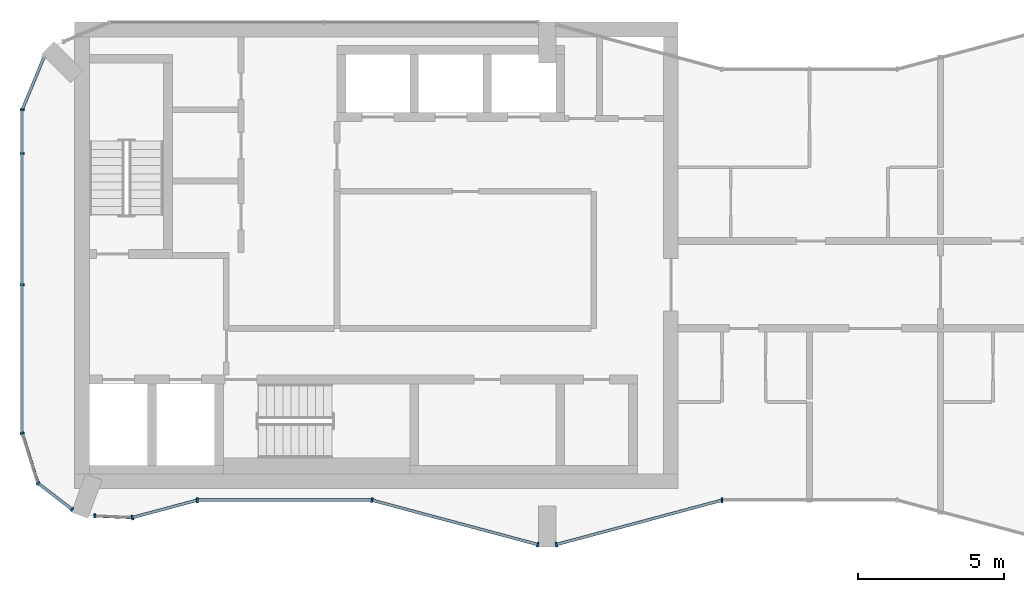
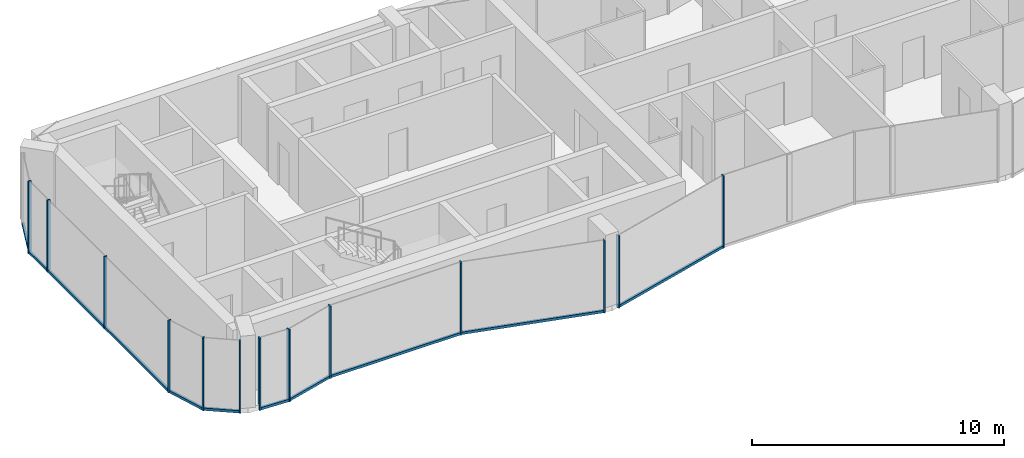
# One storey, part 2 of 10: 22 members, 10 elements without a shape of their own.
"""IFC4 building model written with IfcOpenShell, lengths in metres."""

import ifcopenshell
import ifcopenshell.guid

model = None  # the IFC model being written
_history = None  # IfcOwnerHistory: only IFC2X3 demands one
_inside = {}  # id of a spatial element -> (the spatial element, [elements in it])
_under = {}  # id of a project, library or spatial element -> (it, [spatial elements below it])
_declared = {}  # id of a project -> (the project, [libraries it declares])
_typed = {}  # id of a type object -> (the type object, [elements of that type])
_made_of = {}  # id of a material, layer set ... -> (it, [elements and type objects made of it])


def new_model(schema):
    """Start an empty IFC model of exactly this schema.

    Asked for "IFC4X3", IfcOpenShell would pick the latest addendum, in which some entities
    have other attributes; the version numbers below select the first issue.
    IFC2X3 requires an IfcOwnerHistory on every rooted entity: one is made here for all.
    """
    global model, _history
    if schema == "IFC4X3":
        model = ifcopenshell.file(schema_version=(4, 3, 0, 0))
    else:
        model = ifcopenshell.file(schema=schema)
    _inside.clear()
    _under.clear()
    _declared.clear()
    _typed.clear()
    _made_of.clear()
    _history = None
    if model.schema == "IFC2X3":
        org = make("IfcOrganization", Name="unknown")
        user = make(
            "IfcPersonAndOrganization",
            ThePerson=make("IfcPerson", FamilyName="unknown"),
            TheOrganization=org,
        )
        app = make(
            "IfcApplication",
            ApplicationDeveloper=org,
            Version="unknown",
            ApplicationFullName="unknown",
            ApplicationIdentifier="unknown",
        )
        _history = make(
            "IfcOwnerHistory",
            OwningUser=user,
            OwningApplication=app,
            ChangeAction="ADDED",
            CreationDate=0,
        )
    return model


def make(cls, **values):
    """One entity of the class cls with the attributes given. An attribute that is None is left unset."""
    return model.create_entity(
        cls, **{name: value for name, value in values.items() if value is not None}
    )


def rooted(cls, **values):
    """An entity with a GlobalId (a new one), such as an element, a storey or a relation."""
    return make(cls, GlobalId=ifcopenshell.guid.new(), OwnerHistory=_history, **values)


def si_unit(unit_type, name, prefix=None):
    """IfcSIUnit, for example si_unit("LENGTHUNIT", "METRE", prefix="MILLI")."""
    return make("IfcSIUnit", UnitType=unit_type, Prefix=prefix, Name=name)


def assignment(units):
    """IfcUnitAssignment: the units of a project."""
    return None if units is None else make("IfcUnitAssignment", Units=units)


def point(xyz):
    """IfcCartesianPoint."""
    return None if xyz is None else make("IfcCartesianPoint", Coordinates=xyz)


def direction(xyz):
    """IfcDirection."""
    return None if xyz is None else make("IfcDirection", DirectionRatios=xyz)


def frame(location, z_axis=None, x_axis=None):
    """IfcAxis2Placement3D, a coordinate frame: its origin and axes. An axis left out is left unset."""
    return make(
        "IfcAxis2Placement3D",
        Location=point(location),
        Axis=direction(z_axis),
        RefDirection=direction(x_axis),
    )


def frame_2d(location, x_axis=None):
    """IfcAxis2Placement2D, a coordinate frame in the plane: its origin and x axis."""
    return make(
        "IfcAxis2Placement2D", Location=point(location), RefDirection=direction(x_axis)
    )


def origin():
    """The frame at (0, 0, 0) with its axes left unset."""
    return frame((0.0, 0.0, 0.0))


def origin_2d():
    """The frame at (0, 0) in the plane with its x axis left unset."""
    return frame_2d((0.0, 0.0))


def place(relative_to, where):
    """IfcLocalPlacement: puts the frame where relative to a parent placement (None: the world)."""
    return make(
        "IfcLocalPlacement", PlacementRelTo=relative_to, RelativePlacement=where
    )


def context(
    kind, dimensions, precision=None, world=None, true_north=None, identifier=None
):
    """IfcGeometricRepresentationContext, for example the 3D "Model" context."""
    return make(
        "IfcGeometricRepresentationContext",
        ContextIdentifier=identifier,
        ContextType=kind,
        CoordinateSpaceDimension=dimensions,
        Precision=precision,
        WorldCoordinateSystem=world,
        TrueNorth=true_north,
    )


def subcontext(parent, identifier, kind, view, scale=None):
    """IfcGeometricRepresentationSubContext, for example "Body" below "Model"."""
    return make(
        "IfcGeometricRepresentationSubContext",
        ContextIdentifier=identifier,
        ContextType=kind,
        ParentContext=parent,
        TargetScale=scale,
        TargetView=view,
    )


def project(units=None, contexts=None):
    """IfcProject with its units and contexts."""
    return rooted(
        "IfcProject",
        Name="project",
        RepresentationContexts=contexts,
        UnitsInContext=assignment(units),
    )


def spatial(cls, under=None, at=None, **own):
    """A site, building, storey or space (cls), placed at a placement, below another one or the project."""
    s = rooted(cls, ObjectPlacement=at, **own)
    if under is not None:
        _under.setdefault(under.id(), (under, []))[1].append(s)
    return s


def profile(cls, at=None, kind="AREA", **sizes):
    """A parametric profile (cls). Its sizes go by their IFC names, for example OverallWidth=200.0."""
    return make(cls, ProfileType=kind, Position=at, **sizes)


def rectangle(**sizes):
    """IfcRectangleProfileDef."""
    return profile("IfcRectangleProfileDef", **sizes)


def extrude(swept, where, along, depth):
    """IfcExtrudedAreaSolid: the profile swept, set in the frame where, extruded along a direction by depth."""
    return make(
        "IfcExtrudedAreaSolid",
        SweptArea=swept,
        Position=where,
        ExtrudedDirection=direction(along),
        Depth=depth,
    )


def shape(context_of_items, identifier, shape_type, items):
    """IfcShapeRepresentation: the items that make up one representation, for example the "Body"."""
    return make(
        "IfcShapeRepresentation",
        ContextOfItems=context_of_items,
        RepresentationIdentifier=identifier,
        RepresentationType=shape_type,
        Items=items,
    )


def material(Name=None, Category=None):
    """IfcMaterial."""
    return make("IfcMaterial", Name=Name, Category=Category)


def layer(
    of_material, thickness, ventilated=None, Name=None, Category=None, Priority=None
):
    """IfcMaterialLayer: one layer of a wall or slab, of a material (None: an air gap)."""
    return make(
        "IfcMaterialLayer",
        Material=of_material,
        LayerThickness=thickness,
        IsVentilated=ventilated,
        Name=Name,
        Category=Category,
        Priority=Priority,
    )


def layer_set(layers, Name=None):
    """IfcMaterialLayerSet."""
    return make("IfcMaterialLayerSet", MaterialLayers=layers, LayerSetName=Name)


def material_profile(
    of_material, cross_section, Name=None, Category=None, Priority=None
):
    """IfcMaterialProfile: a cross section and its material."""
    return make(
        "IfcMaterialProfile",
        Name=Name,
        Material=of_material,
        Profile=cross_section,
        Priority=Priority,
        Category=Category,
    )


def profile_set(profiles, Name=None, composite=None):
    """IfcMaterialProfileSet."""
    return make(
        "IfcMaterialProfileSet",
        Name=Name,
        MaterialProfiles=profiles,
        CompositeProfile=composite,
    )


def made_of(thing, what):
    """Note that an element or type object is made of a material, layer set ...; save() writes the relation."""
    if what is not None:
        _made_of.setdefault(what.id(), (what, []))[1].append(thing)
    return thing


def type_object(cls, material=None, **own):
    """A type object (cls), such as IfcWallType, which elements share."""
    return made_of(rooted(cls, **own), material)


def element(
    cls,
    number,
    at=None,
    inside=None,
    cuts=None,
    type_object=None,
    material=None,
    context=None,
    identifier="Body",
    shape_type=None,
    held_by="IfcProductDefinitionShape",
    body=None,
    shapes=None,
    **own,
):
    """One element of the class cls, such as IfcWall. Its Tag is "e" and its number.

    at: its placement. inside: the storey or other place that contains it. cuts: it is an
    opening in that element (IfcRelVoidsElement). A single representation is given by context,
    identifier, shape_type and body (its items); several are given by shapes. held_by: the class
    of the entity that holds the representations. save() writes the other relations.
    """
    e = rooted(cls, Tag="e%d" % number, ObjectPlacement=at, **own)
    if body is not None:
        shapes = [shape(context, identifier, shape_type, body)]
    if shapes is not None:
        e.Representation = make(held_by, Representations=shapes)
    if inside is not None:
        _inside.setdefault(inside.id(), (inside, []))[1].append(e)
    if cuts is not None:
        rooted(
            "IfcRelVoidsElement", RelatingBuildingElement=cuts, RelatedOpeningElement=e
        )
    if type_object is not None:
        _typed.setdefault(type_object.id(), (type_object, []))[1].append(e)
    return made_of(e, material)


def aggregate(whole, parts):
    """IfcRelAggregates: a whole, such as a stair, and the parts it consists of."""
    return rooted("IfcRelAggregates", RelatingObject=whole, RelatedObjects=parts)


def save(model, path):
    """Write the relations noted so far, then the file.

    IfcRelAggregates (storeys below a building ...), IfcRelContainedInSpatialStructure (elements
    in a storey), IfcRelDefinesByType, IfcRelAssociatesMaterial and IfcRelDeclares: one each for
    every whole, place, type object, material and project.
    """
    for whole, parts in _under.values():
        aggregate(whole, parts)
    for where, things in _inside.values():
        rooted(
            "IfcRelContainedInSpatialStructure",
            RelatedElements=things,
            RelatingStructure=where,
        )
    for kind, things in _typed.values():
        rooted("IfcRelDefinesByType", RelatedObjects=things, RelatingType=kind)
    for what, things in _made_of.values():
        rooted("IfcRelAssociatesMaterial", RelatedObjects=things, RelatingMaterial=what)
    for by, libraries in _declared.values():
        rooted("IfcRelDeclares", RelatingContext=by, RelatedDefinitions=libraries)
    model.write(path)


model = new_model("IFC4")

# Units and contexts
model_context = context("Model", 3, precision=1e-05, world=origin(), true_north=direction((0.0, 1.0)))
body_context = subcontext(model_context, "Body", "Model", "MODEL_VIEW")
ifc_project = project(units=[si_unit("LENGTHUNIT", "METRE"), si_unit("AREAUNIT", "SQUARE_METRE"), si_unit("VOLUMEUNIT", "CUBIC_METRE"), si_unit("PLANEANGLEUNIT", "RADIAN"), si_unit("MASSUNIT", "GRAM", prefix="KILO")], contexts=[model_context])

# Site, building, storey
site_placement = place(None, origin())
site = spatial("IfcSite", under=ifc_project, at=site_placement, CompositionType="ELEMENT")
building_placement = place(site_placement, origin())
building = spatial("IfcBuilding", under=site, at=building_placement, Name="Plateau Cross Towers", CompositionType="ELEMENT")
storey_placement = place(building_placement, frame((0.0, 0.0, 245.89990234375)))
storey = spatial("IfcBuildingStorey", under=building, at=storey_placement, Name="L64", CompositionType="ELEMENT", Elevation=245.89990234375)

# Curtain wall, members
ifc_material_1 = material(Name="Dark low-iron glass", Category="glass")
ifc_layer_1 = layer(ifc_material_1, 0.239990234375)
ifc_layer_set_1 = layer_set([ifc_layer_1], Name="Dark low-iron glass")
curtain_wall_type_1 = type_object("IfcCurtainWallType", Name="Curtain wall flush unitised CW-B", PredefinedType="NOTDEFINED", material=ifc_layer_set_1)
curtain_wall_1_placement = place(storey_placement, origin())
curtain_wall_1 = element("IfcCurtainWall", 1, at=curtain_wall_1_placement, inside=storey, type_object=curtain_wall_type_1, Name="ENV/A/L64/A0_150", PredefinedType="NOTDEFINED")
ifc_material_2 = material(Name="Black anodised aluminium", Category="aluminium")
ifc_material_profile_1 = material_profile(ifc_material_2, rectangle(XDim=0.06005859375, YDim=0.139892578125, at=origin_2d()), Name="MULLION 60x140")
ifc_profile_set_1 = profile_set([ifc_material_profile_1], Name="Black anodised aluminium")
member_type_1 = type_object("IfcMemberType", Name="Mullion 60x140 flush unitised", PredefinedType="MULLION", material=ifc_profile_set_1)
member_1_placement = place(storey_placement, frame((0.0, 15.0, -0.25), z_axis=(0.0, 0.0, 1.0), x_axis=(0.0, -1.0, 0.0)))
member_1 = element("IfcMember", 2, at=member_1_placement, type_object=member_type_1, Name="CW-B mullion 1", PredefinedType="MULLION", context=body_context, shape_type="SweptSolid", body=[
    extrude(rectangle(XDim=0.06005859375, YDim=0.139892578125, at=origin_2d()), origin(), (0.0, 0.0, 1.0), 3.5),
])
member_2_placement = place(storey_placement, frame((0.0, 13.5, -0.25), z_axis=(0.0, 0.0, 1.0), x_axis=(0.0, -1.0, 0.0)))
member_2 = element("IfcMember", 3, at=member_2_placement, type_object=member_type_1, Name="CW-B mullion 2", PredefinedType="MULLION", context=body_context, shape_type="SweptSolid", body=[
    extrude(rectangle(XDim=0.06005859375, YDim=0.139892578125, at=origin_2d()), origin(), (0.0, 0.0, 1.0), 3.5),
])
member_3_placement = place(storey_placement, frame((0.0, 9.0, -0.25), z_axis=(0.0, 0.0, 1.0), x_axis=(0.0, -1.0, 0.0)))
member_3 = element("IfcMember", 4, at=member_3_placement, type_object=member_type_1, Name="CW-B mullion 3", PredefinedType="MULLION", context=body_context, shape_type="SweptSolid", body=[
    extrude(rectangle(XDim=0.06005859375, YDim=0.139892578125, at=origin_2d()), origin(), (0.0, 0.0, 1.0), 3.5),
])

# Curtain wall, member
curtain_wall_2_placement = place(storey_placement, origin())
curtain_wall_2 = element("IfcCurtainWall", 5, at=curtain_wall_2_placement, inside=storey, type_object=curtain_wall_type_1, Name="ENV/A/L64/A0_39", PredefinedType="NOTDEFINED")
member_4_placement = place(storey_placement, frame((0.0, 3.9091796875, -0.25), z_axis=(0.0, 0.0, 1.0), x_axis=(0.300686174994, -0.95372313811, 0.0)))
member_4 = element("IfcMember", 6, at=member_4_placement, type_object=member_type_1, Name="CW-B mullion 1", PredefinedType="MULLION", context=body_context, shape_type="SweptSolid", body=[
    extrude(rectangle(XDim=0.06005859375, YDim=0.139892578125, at=origin_2d()), origin(), (0.0, 0.0, 1.0), 3.5),
])

# Curtain wall, members
curtain_wall_3_placement = place(storey_placement, origin())
curtain_wall_3 = element("IfcCurtainWall", 7, at=curtain_wall_3_placement, inside=storey, type_object=curtain_wall_type_1, Name="ENV/A/L64/A5_22", PredefinedType="NOTDEFINED")
member_5_placement = place(storey_placement, frame((0.54248046875, 2.1884765625, -0.25), z_axis=(0.0, 0.0, 1.0), x_axis=(0.793315514529, -0.608810721331, 0.0)))
member_5 = element("IfcMember", 8, at=member_5_placement, type_object=member_type_1, Name="CW-B mullion 1", PredefinedType="MULLION", context=body_context, shape_type="SweptSolid", body=[
    extrude(rectangle(XDim=0.06005859375, YDim=0.139892578125, at=origin_2d()), origin(), (0.0, 0.0, 1.0), 3.5),
])
member_6_placement = place(storey_placement, frame((1.709716796875, 1.292724609375, -0.25), z_axis=(0.0, 0.0, 1.0), x_axis=(0.793315514529, -0.608810721331, 0.0)))
member_6 = element("IfcMember", 9, at=member_6_placement, type_object=member_type_1, Name="CW-B mullion 2", PredefinedType="MULLION", context=body_context, shape_type="SweptSolid", body=[
    extrude(rectangle(XDim=0.06005859375, YDim=0.139892578125, at=origin_2d()), origin(), (0.0, 0.0, 1.0), 3.5),
])

# Curtain wall, member
curtain_wall_4_placement = place(storey_placement, origin())
curtain_wall_4 = element("IfcCurtainWall", 10, at=curtain_wall_4_placement, inside=storey, type_object=curtain_wall_type_1, Name="ENV/A/L64/A25_11", PredefinedType="NOTDEFINED")
member_7_placement = place(storey_placement, frame((2.483642578125, 1.06787109375, -0.25), z_axis=(0.0, 0.0, 1.0), x_axis=(0.999043701491, -0.043722791671, 0.0)))
member_7 = element("IfcMember", 11, at=member_7_placement, type_object=member_type_1, Name="CW-B mullion 1", PredefinedType="MULLION", context=body_context, shape_type="SweptSolid", body=[
    extrude(rectangle(XDim=0.06005859375, YDim=0.139892578125, at=origin_2d()), origin(), (0.0, 0.0, 1.0), 3.5),
])

ifc_layer_2 = layer(ifc_material_1, 0.260009765625)
ifc_layer_set_2 = layer_set([ifc_layer_2], Name="Dark low-iron glass")
curtain_wall_type_2 = type_object("IfcCurtainWallType", Name="Curtain wall fluted unitised CW-A", PredefinedType="NOTDEFINED", material=ifc_layer_set_2)
curtain_wall_5_placement = place(storey_placement, origin())
curtain_wall_5 = element("IfcCurtainWall", 12, at=curtain_wall_5_placement, inside=storey, type_object=curtain_wall_type_2, Name="ENV/A/L64/A38_10", PredefinedType="NOTDEFINED")
ifc_material_profile_2 = material_profile(ifc_material_2, rectangle(XDim=0.06005859375, YDim=0.159912109375, at=origin_2d()), Name="MULLION 60x160")
ifc_profile_set_2 = profile_set([ifc_material_profile_2], Name="Black anodised aluminium")
member_type_2 = type_object("IfcMemberType", Name="Mullion 60x160 fluted unitised", PredefinedType="MULLION", material=ifc_profile_set_2)
member_8_placement = place(storey_placement, frame((3.776123046875, 1.01123046875, -0.25), z_axis=(0.0, 0.0, 1.0), x_axis=(0.965957962328, 0.258699081978, 0.0)))
member_8 = element("IfcMember", 13, at=member_8_placement, type_object=member_type_2, Name="CW-A mullion 1", PredefinedType="MULLION", context=body_context, shape_type="SweptSolid", body=[
    extrude(rectangle(XDim=0.06005859375, YDim=0.159912109375, at=origin_2d()), origin(), (0.0, 0.0, 1.0), 3.5),
])

curtain_wall_6_placement = place(storey_placement, origin())
curtain_wall_6 = element("IfcCurtainWall", 14, at=curtain_wall_6_placement, inside=storey, type_object=curtain_wall_type_2, Name="ENV/A/L64/A60_16", PredefinedType="NOTDEFINED")
member_9_placement = place(storey_placement, frame((6.0, 1.60693359375, -0.25), z_axis=(0.0, 0.0, 1.0), x_axis=(1.0, 0.0, 0.0)))
member_9 = element("IfcMember", 15, at=member_9_placement, type_object=member_type_2, Name="CW-A mullion 1", PredefinedType="MULLION", context=body_context, shape_type="SweptSolid", body=[
    extrude(rectangle(XDim=0.06005859375, YDim=0.159912109375, at=origin_2d()), origin(), (0.0, 0.0, 1.0), 3.5),
])

# Curtain wall, members
curtain_wall_7_placement = place(storey_placement, origin())
curtain_wall_7 = element("IfcCurtainWall", 16, at=curtain_wall_7_placement, inside=storey, type_object=curtain_wall_type_2, Name="ENV/A/L64/A120_16", PredefinedType="NOTDEFINED")
member_10_placement = place(storey_placement, frame((12.0, 1.60693359375, -0.25), z_axis=(0.0, 0.0, 1.0), x_axis=(0.965957983404, -0.258699003279, 0.0)))
member_10 = element("IfcMember", 17, at=member_10_placement, type_object=member_type_2, Name="CW-A mullion 1", PredefinedType="MULLION", context=body_context, shape_type="SweptSolid", body=[
    extrude(rectangle(XDim=0.06005859375, YDim=0.159912109375, at=origin_2d()), origin(), (0.0, 0.0, 1.0), 3.5),
])
member_11_placement = place(storey_placement, frame((17.68212890625, 0.085205078125, -0.25), z_axis=(0.0, 0.0, 1.0), x_axis=(0.965957983404, -0.258699003279, 0.0)))
member_11 = element("IfcMember", 18, at=member_11_placement, type_object=member_type_2, Name="CW-A mullion 2", PredefinedType="MULLION", context=body_context, shape_type="SweptSolid", body=[
    extrude(rectangle(XDim=0.06005859375, YDim=0.159912109375, at=origin_2d()), origin(), (0.0, 0.0, 1.0), 3.5),
])

# Curtain wall, member
curtain_wall_8_placement = place(storey_placement, origin())
curtain_wall_8 = element("IfcCurtainWall", 19, at=curtain_wall_8_placement, inside=storey, type_object=curtain_wall_type_2, Name="ENV/A/L64/A183_1", PredefinedType="NOTDEFINED")
member_12_placement = place(storey_placement, frame((18.31787109375, 0.085205078125, -0.25), z_axis=(0.0, 0.0, 1.0), x_axis=(0.965957983404, 0.258699003279, 0.0)))
member_12 = element("IfcMember", 20, at=member_12_placement, type_object=member_type_2, Name="CW-A mullion 1", PredefinedType="MULLION", context=body_context, shape_type="SweptSolid", body=[
    extrude(rectangle(XDim=0.06005859375, YDim=0.159912109375, at=origin_2d()), origin(), (0.0, 0.0, 1.0), 3.5),
])

curtain_wall_9_placement = place(storey_placement, origin())
curtain_wall_9 = element("IfcCurtainWall", 21, at=curtain_wall_9_placement, inside=storey, type_object=curtain_wall_type_2, Name="ENV/A/L64/A240_16", PredefinedType="NOTDEFINED")
member_13_placement = place(storey_placement, frame((24.0, 1.60693359375, -0.25), z_axis=(0.0, 0.0, 1.0), x_axis=(1.0, 0.0, 0.0)))
member_13 = element("IfcMember", 22, at=member_13_placement, type_object=member_type_2, Name="CW-A mullion 1", PredefinedType="MULLION", context=body_context, shape_type="SweptSolid", body=[
    extrude(rectangle(XDim=0.06005859375, YDim=0.159912109375, at=origin_2d()), origin(), (0.0, 0.0, 1.0), 3.5),
])
aggregate(curtain_wall_9, [member_13])

curtain_wall_10_placement = place(storey_placement, origin())
curtain_wall_10 = element("IfcCurtainWall", 23, at=curtain_wall_10_placement, inside=storey, type_object=curtain_wall_type_1, Name="ENV/A/L64/A7_168", PredefinedType="NOTDEFINED")
ifc_material_profile_3 = material_profile(ifc_material_2, rectangle(XDim=0.10009765625, YDim=0.1201171875, at=origin_2d()), Name="TRANSOM 100x120")
ifc_profile_set_3 = profile_set([ifc_material_profile_3], Name="Black anodised aluminium")
member_type_3 = type_object("IfcMemberType", Name="Transom 100x120 flush unitised", PredefinedType="USERDEFINED", material=ifc_profile_set_3)
member_14_placement = place(storey_placement, frame((0.748046875, 16.805908203125, -0.18994140625), z_axis=(-0.382690071798, -0.92387678234, 0.0), x_axis=(0.92387678234, -0.382690071798, 0.0)))
member_14 = element("IfcMember", 24, at=member_14_placement, type_object=member_type_3, Name="CW-B transom", ObjectType="TRANSOM", PredefinedType="USERDEFINED", context=body_context, shape_type="SweptSolid", body=[
    extrude(rectangle(XDim=0.10009765625, YDim=0.1201171875, at=origin_2d()), origin(), (0.0, 0.0, 1.0), 1.95458984375),
])
aggregate(curtain_wall_10, [member_14])

# Member
member_15_placement = place(storey_placement, frame((0.0, 15.0, -0.18994140625), z_axis=(0.0, -1.0, 0.0), x_axis=(1.0, 0.0, 0.0)))
member_15 = element("IfcMember", 25, at=member_15_placement, type_object=member_type_3, Name="CW-B transom", ObjectType="TRANSOM", PredefinedType="USERDEFINED", context=body_context, shape_type="SweptSolid", body=[
    extrude(rectangle(XDim=0.10009765625, YDim=0.1201171875, at=origin_2d()), origin(), (0.0, 0.0, 1.0), 11.0908203125),
])

aggregate(curtain_wall_1, [member_1, member_2, member_3, member_15])

member_16_placement = place(storey_placement, frame((0.0, 3.9091796875, -0.18994140625), z_axis=(0.30067799945, -0.953725715626, 0.0), x_axis=(0.953725715626, 0.30067799945, 0.0)))
member_16 = element("IfcMember", 26, at=member_16_placement, type_object=member_type_3, Name="CW-B transom", ObjectType="TRANSOM", PredefinedType="USERDEFINED", context=body_context, shape_type="SweptSolid", body=[
    extrude(rectangle(XDim=0.10009765625, YDim=0.1201171875, at=origin_2d()), origin(), (0.0, 0.0, 1.0), 1.80419921875),
])

aggregate(curtain_wall_2, [member_4, member_16])

member_17_placement = place(storey_placement, frame((0.54248046875, 2.1884765625, -0.18994140625), z_axis=(0.793320508571, -0.608804213751, 0.0), x_axis=(0.608804213751, 0.793320508571, 0.0)))
member_17 = element("IfcMember", 27, at=member_17_placement, type_object=member_type_3, Name="CW-B transom", ObjectType="TRANSOM", PredefinedType="USERDEFINED", context=body_context, shape_type="SweptSolid", body=[
    extrude(rectangle(XDim=0.10009765625, YDim=0.1201171875, at=origin_2d()), origin(), (0.0, 0.0, 1.0), 1.471435546875),
])

aggregate(curtain_wall_3, [member_5, member_6, member_17])

member_18_placement = place(storey_placement, frame((2.483642578125, 1.06787109375, -0.18994140625), z_axis=(0.999041144614, -0.043781175963, 0.0), x_axis=(0.043781175963, 0.999041144614, 0.0)))
member_18 = element("IfcMember", 28, at=member_18_placement, type_object=member_type_3, Name="CW-B transom", ObjectType="TRANSOM", PredefinedType="USERDEFINED", context=body_context, shape_type="SweptSolid", body=[
    extrude(rectangle(XDim=0.10009765625, YDim=0.1201171875, at=origin_2d()), origin(), (0.0, 0.0, 1.0), 1.293701171875),
])

aggregate(curtain_wall_4, [member_7, member_18])

ifc_material_profile_4 = material_profile(ifc_material_2, rectangle(XDim=0.10009765625, YDim=0.1201171875, at=origin_2d()), Name="TRANSOM 100x120")
ifc_profile_set_4 = profile_set([ifc_material_profile_4], Name="Black anodised aluminium")
member_type_4 = type_object("IfcMemberType", Name="Transom 100x120 fluted unitised", PredefinedType="USERDEFINED", material=ifc_profile_set_4)
member_19_placement = place(storey_placement, frame((3.776123046875, 1.01123046875, -0.18994140625), z_axis=(0.965945685136, 0.258744919501, 0.0), x_axis=(-0.258744919501, 0.965945685136, 0.0)))
member_19 = element("IfcMember", 29, at=member_19_placement, type_object=member_type_4, Name="CW-A transom", ObjectType="TRANSOM", PredefinedType="USERDEFINED", context=body_context, shape_type="SweptSolid", body=[
    extrude(rectangle(XDim=0.10009765625, YDim=0.1201171875, at=origin_2d()), origin(), (0.0, 0.0, 1.0), 2.30224609375),
])

aggregate(curtain_wall_5, [member_8, member_19])

member_20_placement = place(storey_placement, frame((6.0, 1.60693359375, -0.18994140625), z_axis=(1.0, 0.0, 0.0), x_axis=(0.0, 1.0, 0.0)))
member_20 = element("IfcMember", 30, at=member_20_placement, type_object=member_type_4, Name="CW-A transom", ObjectType="TRANSOM", PredefinedType="USERDEFINED", context=body_context, shape_type="SweptSolid", body=[
    extrude(rectangle(XDim=0.10009765625, YDim=0.1201171875, at=origin_2d()), origin(), (0.0, 0.0, 1.0), 6.0),
])

aggregate(curtain_wall_6, [member_9, member_20])

member_21_placement = place(storey_placement, frame((12.0, 1.60693359375, -0.18994140625), z_axis=(0.965959534794, -0.258693210465, 0.0), x_axis=(0.258693210465, 0.965959534794, 0.0)))
member_21 = element("IfcMember", 31, at=member_21_placement, type_object=member_type_4, Name="CW-A transom", ObjectType="TRANSOM", PredefinedType="USERDEFINED", context=body_context, shape_type="SweptSolid", body=[
    extrude(rectangle(XDim=0.10009765625, YDim=0.1201171875, at=origin_2d()), origin(), (0.0, 0.0, 1.0), 5.88232421875),
])

aggregate(curtain_wall_7, [member_10, member_11, member_21])

member_22_placement = place(storey_placement, frame((18.31787109375, 0.085205078125, -0.18994140625), z_axis=(0.965959534794, 0.258693210465, 0.0), x_axis=(-0.258693210465, 0.965959534794, 0.0)))
member_22 = element("IfcMember", 32, at=member_22_placement, type_object=member_type_4, Name="CW-A transom", ObjectType="TRANSOM", PredefinedType="USERDEFINED", context=body_context, shape_type="SweptSolid", body=[
    extrude(rectangle(XDim=0.10009765625, YDim=0.1201171875, at=origin_2d()), origin(), (0.0, 0.0, 1.0), 5.88232421875),
])

aggregate(curtain_wall_8, [member_12, member_22])

save(model, "model.ifc")
